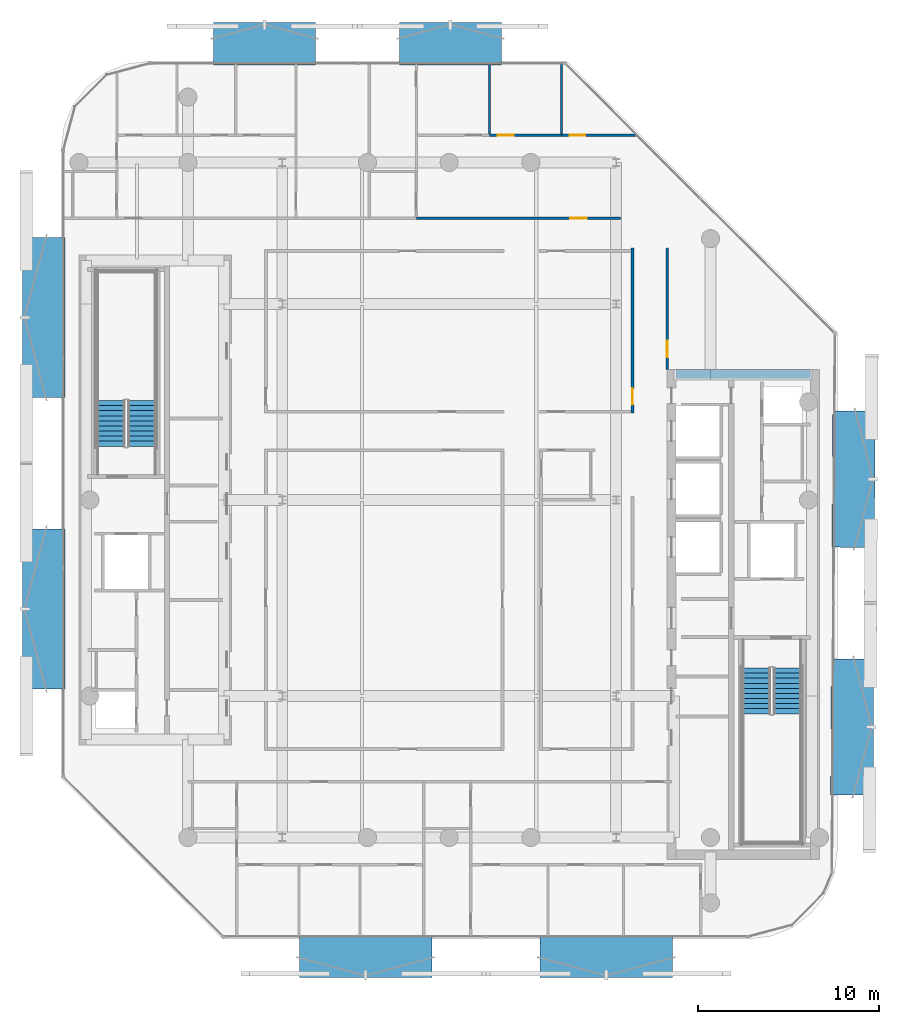
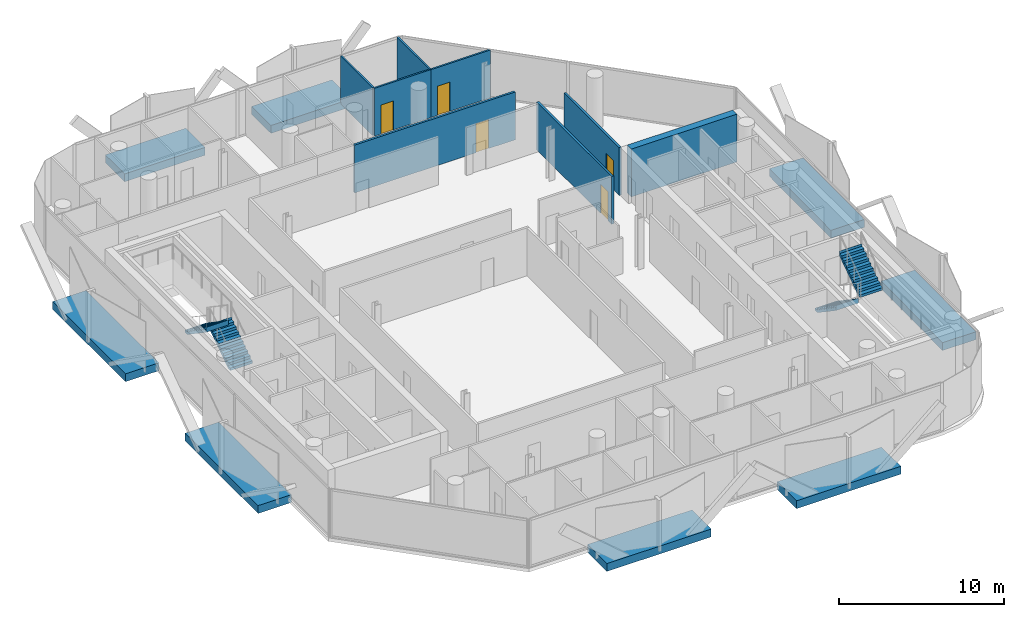
# One storey, part 8 of 17: 8 discrete accessories, 8 walls, 5 doors, 4 stair flights, 5 openings, 2 elements without a shape of their own.
"""IFC4 building model written with IfcOpenShell, lengths in metres."""

import ifcopenshell
import ifcopenshell.guid

model = None  # the IFC model being written
_history = None  # IfcOwnerHistory: only IFC2X3 demands one
_inside = {}  # id of a spatial element -> (the spatial element, [elements in it])
_under = {}  # id of a project, library or spatial element -> (it, [spatial elements below it])
_declared = {}  # id of a project -> (the project, [libraries it declares])
_typed = {}  # id of a type object -> (the type object, [elements of that type])
_made_of = {}  # id of a material, layer set ... -> (it, [elements and type objects made of it])


def new_model(schema):
    """Start an empty IFC model of exactly this schema.

    Asked for "IFC4X3", IfcOpenShell would pick the latest addendum, in which some entities
    have other attributes; the version numbers below select the first issue.
    IFC2X3 requires an IfcOwnerHistory on every rooted entity: one is made here for all.
    """
    global model, _history
    if schema == "IFC4X3":
        model = ifcopenshell.file(schema_version=(4, 3, 0, 0))
    else:
        model = ifcopenshell.file(schema=schema)
    _inside.clear()
    _under.clear()
    _declared.clear()
    _typed.clear()
    _made_of.clear()
    _history = None
    if model.schema == "IFC2X3":
        org = make("IfcOrganization", Name="unknown")
        user = make(
            "IfcPersonAndOrganization",
            ThePerson=make("IfcPerson", FamilyName="unknown"),
            TheOrganization=org,
        )
        app = make(
            "IfcApplication",
            ApplicationDeveloper=org,
            Version="unknown",
            ApplicationFullName="unknown",
            ApplicationIdentifier="unknown",
        )
        _history = make(
            "IfcOwnerHistory",
            OwningUser=user,
            OwningApplication=app,
            ChangeAction="ADDED",
            CreationDate=0,
        )
    return model


def make(cls, **values):
    """One entity of the class cls with the attributes given. An attribute that is None is left unset."""
    return model.create_entity(
        cls, **{name: value for name, value in values.items() if value is not None}
    )


def rooted(cls, **values):
    """An entity with a GlobalId (a new one), such as an element, a storey or a relation."""
    return make(cls, GlobalId=ifcopenshell.guid.new(), OwnerHistory=_history, **values)


def si_unit(unit_type, name, prefix=None):
    """IfcSIUnit, for example si_unit("LENGTHUNIT", "METRE", prefix="MILLI")."""
    return make("IfcSIUnit", UnitType=unit_type, Prefix=prefix, Name=name)


def assignment(units):
    """IfcUnitAssignment: the units of a project."""
    return None if units is None else make("IfcUnitAssignment", Units=units)


def point(xyz):
    """IfcCartesianPoint."""
    return None if xyz is None else make("IfcCartesianPoint", Coordinates=xyz)


def direction(xyz):
    """IfcDirection."""
    return None if xyz is None else make("IfcDirection", DirectionRatios=xyz)


def frame(location, z_axis=None, x_axis=None):
    """IfcAxis2Placement3D, a coordinate frame: its origin and axes. An axis left out is left unset."""
    return make(
        "IfcAxis2Placement3D",
        Location=point(location),
        Axis=direction(z_axis),
        RefDirection=direction(x_axis),
    )


def frame_2d(location, x_axis=None):
    """IfcAxis2Placement2D, a coordinate frame in the plane: its origin and x axis."""
    return make(
        "IfcAxis2Placement2D", Location=point(location), RefDirection=direction(x_axis)
    )


def origin():
    """The frame at (0, 0, 0) with its axes left unset."""
    return frame((0.0, 0.0, 0.0))


def origin_2d():
    """The frame at (0, 0) in the plane with its x axis left unset."""
    return frame_2d((0.0, 0.0))


def place(relative_to, where):
    """IfcLocalPlacement: puts the frame where relative to a parent placement (None: the world)."""
    return make(
        "IfcLocalPlacement", PlacementRelTo=relative_to, RelativePlacement=where
    )


def context(
    kind, dimensions, precision=None, world=None, true_north=None, identifier=None
):
    """IfcGeometricRepresentationContext, for example the 3D "Model" context."""
    return make(
        "IfcGeometricRepresentationContext",
        ContextIdentifier=identifier,
        ContextType=kind,
        CoordinateSpaceDimension=dimensions,
        Precision=precision,
        WorldCoordinateSystem=world,
        TrueNorth=true_north,
    )


def subcontext(parent, identifier, kind, view, scale=None):
    """IfcGeometricRepresentationSubContext, for example "Body" below "Model"."""
    return make(
        "IfcGeometricRepresentationSubContext",
        ContextIdentifier=identifier,
        ContextType=kind,
        ParentContext=parent,
        TargetScale=scale,
        TargetView=view,
    )


def project(units=None, contexts=None):
    """IfcProject with its units and contexts."""
    return rooted(
        "IfcProject",
        Name="project",
        RepresentationContexts=contexts,
        UnitsInContext=assignment(units),
    )


def spatial(cls, under=None, at=None, **own):
    """A site, building, storey or space (cls), placed at a placement, below another one or the project."""
    s = rooted(cls, ObjectPlacement=at, **own)
    if under is not None:
        _under.setdefault(under.id(), (under, []))[1].append(s)
    return s


def polyline(points):
    """IfcPolyline through the points."""
    return make("IfcPolyline", Points=[point(p) for p in points])


def profile(cls, at=None, kind="AREA", **sizes):
    """A parametric profile (cls). Its sizes go by their IFC names, for example OverallWidth=200.0."""
    return make(cls, ProfileType=kind, Position=at, **sizes)


def rectangle(**sizes):
    """IfcRectangleProfileDef."""
    return profile("IfcRectangleProfileDef", **sizes)


def outline(outer, holes=None, kind="AREA"):
    """IfcArbitraryClosedProfileDef: a profile drawn as a closed curve; with holes, ...WithVoids."""
    if holes is None:
        return make("IfcArbitraryClosedProfileDef", ProfileType=kind, OuterCurve=outer)
    return make(
        "IfcArbitraryProfileDefWithVoids",
        ProfileType=kind,
        OuterCurve=outer,
        InnerCurves=holes,
    )


def extrude(swept, where, along, depth):
    """IfcExtrudedAreaSolid: the profile swept, set in the frame where, extruded along a direction by depth."""
    return make(
        "IfcExtrudedAreaSolid",
        SweptArea=swept,
        Position=where,
        ExtrudedDirection=direction(along),
        Depth=depth,
    )


def shape(context_of_items, identifier, shape_type, items):
    """IfcShapeRepresentation: the items that make up one representation, for example the "Body"."""
    return make(
        "IfcShapeRepresentation",
        ContextOfItems=context_of_items,
        RepresentationIdentifier=identifier,
        RepresentationType=shape_type,
        Items=items,
    )


def material(Name=None, Category=None):
    """IfcMaterial."""
    return make("IfcMaterial", Name=Name, Category=Category)


def layer(
    of_material, thickness, ventilated=None, Name=None, Category=None, Priority=None
):
    """IfcMaterialLayer: one layer of a wall or slab, of a material (None: an air gap)."""
    return make(
        "IfcMaterialLayer",
        Material=of_material,
        LayerThickness=thickness,
        IsVentilated=ventilated,
        Name=Name,
        Category=Category,
        Priority=Priority,
    )


def layer_set(layers, Name=None):
    """IfcMaterialLayerSet."""
    return make("IfcMaterialLayerSet", MaterialLayers=layers, LayerSetName=Name)


def made_of(thing, what):
    """Note that an element or type object is made of a material, layer set ...; save() writes the relation."""
    if what is not None:
        _made_of.setdefault(what.id(), (what, []))[1].append(thing)
    return thing


def type_object(cls, material=None, **own):
    """A type object (cls), such as IfcWallType, which elements share."""
    return made_of(rooted(cls, **own), material)


def element(
    cls,
    number,
    at=None,
    inside=None,
    cuts=None,
    type_object=None,
    material=None,
    context=None,
    identifier="Body",
    shape_type=None,
    held_by="IfcProductDefinitionShape",
    body=None,
    shapes=None,
    **own,
):
    """One element of the class cls, such as IfcWall. Its Tag is "e" and its number.

    at: its placement. inside: the storey or other place that contains it. cuts: it is an
    opening in that element (IfcRelVoidsElement). A single representation is given by context,
    identifier, shape_type and body (its items); several are given by shapes. held_by: the class
    of the entity that holds the representations. save() writes the other relations.
    """
    e = rooted(cls, Tag="e%d" % number, ObjectPlacement=at, **own)
    if body is not None:
        shapes = [shape(context, identifier, shape_type, body)]
    if shapes is not None:
        e.Representation = make(held_by, Representations=shapes)
    if inside is not None:
        _inside.setdefault(inside.id(), (inside, []))[1].append(e)
    if cuts is not None:
        rooted(
            "IfcRelVoidsElement", RelatingBuildingElement=cuts, RelatedOpeningElement=e
        )
    if type_object is not None:
        _typed.setdefault(type_object.id(), (type_object, []))[1].append(e)
    return made_of(e, material)


def fill(opening, filler):
    """IfcRelFillsElement: the door or window that sits in an opening."""
    return rooted(
        "IfcRelFillsElement",
        RelatingOpeningElement=opening,
        RelatedBuildingElement=filler,
    )


def aggregate(whole, parts):
    """IfcRelAggregates: a whole, such as a stair, and the parts it consists of."""
    return rooted("IfcRelAggregates", RelatingObject=whole, RelatedObjects=parts)


def save(model, path):
    """Write the relations noted so far, then the file.

    IfcRelAggregates (storeys below a building ...), IfcRelContainedInSpatialStructure (elements
    in a storey), IfcRelDefinesByType, IfcRelAssociatesMaterial and IfcRelDeclares: one each for
    every whole, place, type object, material and project.
    """
    for whole, parts in _under.values():
        aggregate(whole, parts)
    for where, things in _inside.values():
        rooted(
            "IfcRelContainedInSpatialStructure",
            RelatedElements=things,
            RelatingStructure=where,
        )
    for kind, things in _typed.values():
        rooted("IfcRelDefinesByType", RelatedObjects=things, RelatingType=kind)
    for what, things in _made_of.values():
        rooted("IfcRelAssociatesMaterial", RelatedObjects=things, RelatingMaterial=what)
    for by, libraries in _declared.values():
        rooted("IfcRelDeclares", RelatingContext=by, RelatedDefinitions=libraries)
    model.write(path)


model = new_model("IFC4")

# Units and contexts
model_context = context("Model", 3, precision=1e-05, world=origin(), true_north=direction((0.0, 1.0)))
body_context = subcontext(model_context, "Body", "Model", "MODEL_VIEW")
ifc_project = project(units=[si_unit("LENGTHUNIT", "METRE"), si_unit("AREAUNIT", "SQUARE_METRE"), si_unit("VOLUMEUNIT", "CUBIC_METRE"), si_unit("PLANEANGLEUNIT", "RADIAN"), si_unit("MASSUNIT", "GRAM", prefix="KILO")], contexts=[model_context])

# Site, building, storey
site_placement = place(None, origin())
site = spatial("IfcSite", under=ifc_project, at=site_placement, CompositionType="ELEMENT")
building_placement = place(site_placement, origin())
building = spatial("IfcBuilding", under=site, at=building_placement, Name="Khairoan Windgate Tower", CompositionType="ELEMENT")
storey_placement = place(building_placement, frame((0.0, 0.0, 308.0)))
storey = spatial("IfcBuildingStorey", under=building, at=storey_placement, Name="L74", CompositionType="ELEMENT", Elevation=308.0)

# Wall, opening, door
ifc_material_1 = material(Name="Gypsum Stud Partition", Category="gypsum")
ifc_layer_1 = layer(ifc_material_1, 0.1201171875, Name="Gypsum Stud Partition")
ifc_layer_set_1 = layer_set([ifc_layer_1], Name="Gypsum Stud Partition")
wall_type_1 = type_object("IfcWallType", Name="Internal Room Partition Wall", PredefinedType="PARTITIONING", material=ifc_layer_set_1)
wall_1_placement = place(storey_placement, frame((2.22705078125, 20.10009765625, 0.0), z_axis=(0.0, 0.0, 1.0), x_axis=(1.0, 0.0, 0.0)))
wall_1 = element("IfcWall", 1, at=wall_1_placement, inside=storey, type_object=wall_type_1, Name="L74 Interior Partition 058", PredefinedType="PARTITIONING", context=body_context, shape_type="SweptSolid", body=[
    extrude(rectangle(XDim=3.9560546875, YDim=0.1201171875, at=frame_2d((1.97802734375, 0.0))), origin(), (0.0, 0.0, 1.0), 3.5400390625),
])
opening_1_placement = place(wall_1_placement, frame((0.4599609375, 0.0, 0.0)))
opening_1 = element("IfcOpeningElement", 2, at=opening_1_placement, cuts=wall_1, Name="Opening ID-RM", PredefinedType="OPENING", context=body_context, shape_type="SweptSolid", body=[
    extrude(rectangle(XDim=0.860107421875, YDim=2.14990234375, at=frame_2d((0.43017578125, 1.074951171875))), frame((0.0, 0.070068359375, 0.0), z_axis=(0.0, -1.0, 0.0), x_axis=(1.0, 0.0, 0.0)), (0.0, 0.0, 1.0), 0.14013671875),
])
ifc_material_2 = material(Name="Teak Veneer Timber Leaf", Category="wood")
door_type_1 = type_object("IfcDoorType", Name="Internal Bedroom and Office Door ID-RM 860x2150", OperationType="NOTDEFINED", PredefinedType="DOOR", material=ifc_material_2)
door_1_placement = place(opening_1_placement, origin())
door_1 = element("IfcDoor", 3, at=door_1_placement, inside=storey, type_object=door_type_1, Name="L74 L74-44-L74-46 Door", OperationType="SINGLE_SWING_RIGHT", OverallHeight=2.14990234375, OverallWidth=0.860107421875, PredefinedType="DOOR", context=body_context, shape_type="SweptSolid", body=[
    extrude(rectangle(XDim=0.860107421875, YDim=2.14990234375, at=frame_2d((0.43017578125, 1.074951171875))), frame((0.0, 0.02490234375, 0.0), z_axis=(0.0, -1.0, 0.0), x_axis=(1.0, 0.0, 0.0)), (0.0, 0.0, 1.0), 0.050048828125),
])
fill(opening_1, door_1)

wall_2_placement = place(storey_placement, frame((6.18310546875, 20.10009765625, 0.0), z_axis=(0.0, 0.0, 1.0), x_axis=(1.0, 0.0, 0.0)))
wall_2 = element("IfcWall", 4, at=wall_2_placement, inside=storey, type_object=wall_type_1, Name="L74 Interior Partition 059", PredefinedType="PARTITIONING", context=body_context, shape_type="SweptSolid", body=[
    extrude(rectangle(XDim=4.15380859375, YDim=0.1201171875, at=frame_2d((2.076904296875, 0.0))), origin(), (0.0, 0.0, 1.0), 3.5400390625),
])
opening_2_placement = place(wall_2_placement, frame((0.4599609375, 0.0, 0.0)))
opening_2 = element("IfcOpeningElement", 5, at=opening_2_placement, cuts=wall_2, Name="Opening ID-RM", PredefinedType="OPENING", context=body_context, shape_type="SweptSolid", body=[
    extrude(rectangle(XDim=0.860107421875, YDim=2.14990234375, at=frame_2d((0.43017578125, 1.074951171875))), frame((0.0, 0.070068359375, 0.0), z_axis=(0.0, -1.0, 0.0), x_axis=(1.0, 0.0, 0.0)), (0.0, 0.0, 1.0), 0.14013671875),
])
door_2_placement = place(opening_2_placement, origin())
door_2 = element("IfcDoor", 6, at=door_2_placement, inside=storey, type_object=door_type_1, Name="L74 L74-44-L74-47 Door", OperationType="SINGLE_SWING_LEFT", OverallHeight=2.14990234375, OverallWidth=0.860107421875, PredefinedType="DOOR", context=body_context, shape_type="SweptSolid", body=[
    extrude(rectangle(XDim=0.860107421875, YDim=2.14990234375, at=frame_2d((0.43017578125, 1.074951171875))), frame((0.0, 0.02490234375, 0.0), z_axis=(0.0, -1.0, 0.0), x_axis=(1.0, 0.0, 0.0)), (0.0, 0.0, 1.0), 0.050048828125),
])
fill(opening_2, door_2)

# Walls
for number, where, z_axis, x_axis, name in (
    (7, (2.22705078125, 20.159912109375, 0.0), (0.0, 0.0, 1.0), (0.0, 1.0, 0.0), "L74 Interior Partition 060"),
    (8, (6.18310546875, 20.159912109375, 0.0), (0.0, 0.0, 1.0), (0.0, 1.0, 0.0), "L74 Interior Partition 061"),
):
    element("IfcWall", number, at=place(storey_placement, frame(where, z_axis=z_axis, x_axis=x_axis)), inside=storey, type_object=wall_type_1, Name=name, PredefinedType="PARTITIONING", context=body_context, shape_type="SweptSolid", body=[
        extrude(rectangle(XDim=3.89501953125, YDim=0.1201171875, at=frame_2d((1.947509765625, 0.0))), origin(), (0.0, 0.0, 1.0), 3.5400390625),
    ])

# Wall, opening, door
ifc_material_3 = material(Name="Acoustic Fire-Rated Gypsum Partition", Category="gypsum")
ifc_layer_2 = layer(ifc_material_3, 0.14990234375, Name="Acoustic Fire-Rated Gypsum Partition")
ifc_layer_set_2 = layer_set([ifc_layer_2], Name="Acoustic Fire-Rated Gypsum Partition")
wall_type_2 = type_object("IfcWallType", Name="Rated Corridor Partition Wall", PredefinedType="PARTITIONING", material=ifc_layer_set_2)
wall_3_placement = place(storey_placement, frame((12.014892578125, 7.199951171875, 0.0), z_axis=(0.0, 0.0, 1.0), x_axis=(0.0, 1.0, 0.0)))
wall_3 = element("IfcWall", 9, at=wall_3_placement, inside=storey, type_object=wall_type_2, Name="L74 Interior Partition 017", PredefinedType="PARTITIONING", context=body_context, shape_type="SweptSolid", body=[
    extrude(rectangle(XDim=6.679931640625, YDim=0.14990234375, at=frame_2d((3.33984375, 0.0))), origin(), (0.0, 0.0, 1.0), 3.5400390625),
])
opening_3_placement = place(wall_3_placement, frame((0.669921875, 0.0, 0.0)))
opening_3 = element("IfcOpeningElement", 10, at=opening_3_placement, cuts=wall_3, Name="Opening FD-ENT", PredefinedType="OPENING", context=body_context, shape_type="SweptSolid", body=[
    extrude(rectangle(XDim=0.89990234375, YDim=2.14990234375, at=frame_2d((0.449951171875, 1.074951171875))), frame((0.0, 0.0849609375, 0.0), z_axis=(0.0, -1.0, 0.0), x_axis=(1.0, 0.0, 0.0)), (0.0, 0.0, 1.0), 0.169921875),
])
ifc_material_4 = material(Name="Timber Fire-Rated Core", Category="wood")
door_type_2 = type_object("IfcDoorType", Name="Unit and Office Fire Entrance Door FD-ENT 900x2150", OperationType="NOTDEFINED", PredefinedType="DOOR", material=ifc_material_4)
door_3_placement = place(opening_3_placement, origin())
door_3 = element("IfcDoor", 11, at=door_3_placement, inside=storey, type_object=door_type_2, Name="L74 L74-30-L74-61 Door", OperationType="SINGLE_SWING_LEFT", OverallHeight=2.14990234375, OverallWidth=0.89990234375, PredefinedType="DOOR", context=body_context, shape_type="SweptSolid", body=[
    extrude(rectangle(XDim=0.89990234375, YDim=2.14990234375, at=frame_2d((0.449951171875, 1.074951171875))), frame((0.0, 0.02490234375, 0.0), z_axis=(0.0, -1.0, 0.0), x_axis=(1.0, 0.0, 0.0)), (0.0, 0.0, 1.0), 0.050048828125),
])
fill(opening_3, door_3)

wall_4_placement = place(storey_placement, frame((10.10009765625, 4.7900390625, 0.0), z_axis=(0.0, 0.0, 1.0), x_axis=(0.0, 1.0, 0.0)))
wall_4 = element("IfcWall", 12, at=wall_4_placement, inside=storey, type_object=wall_type_2, Name="L74 Interior Partition 018", PredefinedType="PARTITIONING", context=body_context, shape_type="SweptSolid", body=[
    extrude(rectangle(XDim=9.08984375, YDim=0.14990234375, at=frame_2d((4.544921875, 0.0))), origin(), (0.0, 0.0, 1.0), 3.5400390625),
])
opening_4_placement = place(wall_4_placement, frame((0.4599609375, 0.0, 0.0)))
opening_4 = element("IfcOpeningElement", 13, at=opening_4_placement, cuts=wall_4, Name="Opening FD-ENT", PredefinedType="OPENING", context=body_context, shape_type="SweptSolid", body=[
    extrude(rectangle(XDim=0.89990234375, YDim=2.14990234375, at=frame_2d((0.449951171875, 1.074951171875))), frame((0.0, 0.0849609375, 0.0), z_axis=(0.0, -1.0, 0.0), x_axis=(1.0, 0.0, 0.0)), (0.0, 0.0, 1.0), 0.169921875),
])
door_4_placement = place(opening_4_placement, origin())
door_4 = element("IfcDoor", 14, at=door_4_placement, inside=storey, type_object=door_type_2, Name="L74 L74-30-L74-64 Door", OperationType="SINGLE_SWING_RIGHT", OverallHeight=2.14990234375, OverallWidth=0.89990234375, PredefinedType="DOOR", context=body_context, shape_type="SweptSolid", body=[
    extrude(rectangle(XDim=0.89990234375, YDim=2.14990234375, at=frame_2d((0.449951171875, 1.074951171875))), frame((0.0, 0.02490234375, 0.0), z_axis=(0.0, -1.0, 0.0), x_axis=(1.0, 0.0, 0.0)), (0.0, 0.0, 1.0), 0.050048828125),
])
fill(opening_4, door_4)

wall_5_placement = place(storey_placement, frame((-1.81005859375, 15.52490234375, 0.0), z_axis=(0.0, 0.0, 1.0), x_axis=(1.0, 0.0, 0.0)))
wall_5 = element("IfcWall", 15, at=wall_5_placement, inside=storey, type_object=wall_type_2, Name="L74 Interior Partition 031", PredefinedType="PARTITIONING", context=body_context, shape_type="SweptSolid", body=[
    extrude(rectangle(XDim=11.25, YDim=0.14990234375, at=frame_2d((5.625, 0.0))), origin(), (0.0, 0.0, 1.0), 3.5400390625),
])
opening_5_placement = place(wall_5_placement, frame((8.485595703125, 0.0, 0.0)))
opening_5 = element("IfcOpeningElement", 16, at=opening_5_placement, cuts=wall_5, Name="Opening FD-ENT", PredefinedType="OPENING", context=body_context, shape_type="SweptSolid", body=[
    extrude(rectangle(XDim=0.89990234375, YDim=2.14990234375, at=frame_2d((0.449951171875, 1.074951171875))), frame((0.0, 0.0849609375, 0.0), z_axis=(0.0, -1.0, 0.0), x_axis=(1.0, 0.0, 0.0)), (0.0, 0.0, 1.0), 0.169921875),
])
door_5_placement = place(opening_5_placement, origin())
door_5 = element("IfcDoor", 17, at=door_5_placement, inside=storey, type_object=door_type_2, Name="L74 L74-33-L74-44 Door", OperationType="SINGLE_SWING_RIGHT", OverallHeight=2.14990234375, OverallWidth=0.89990234375, PredefinedType="DOOR", context=body_context, shape_type="SweptSolid", body=[
    extrude(rectangle(XDim=0.89990234375, YDim=2.14990234375, at=frame_2d((0.449951171875, 1.074951171875))), frame((0.0, 0.02490234375, 0.0), z_axis=(0.0, -1.0, 0.0), x_axis=(1.0, 0.0, 0.0)), (0.0, 0.0, 1.0), 0.050048828125),
])
fill(opening_5, door_5)

# Wall
ifc_material_5 = material(Name="Concrete C50/60", Category="concrete")
ifc_layer_3 = layer(ifc_material_5, 0.5, Name="Concrete C50/60")
ifc_layer_set_3 = layer_set([ifc_layer_3], Name="Concrete C50/60")
wall_type_3 = type_object("IfcWallType", Name="Shear Wall CW-E3 500mm", PredefinedType="SHEAR", material=ifc_layer_set_3)
wall_6_placement = place(storey_placement, frame((12.5, 6.949951171875, 0.0), z_axis=(0.0, 0.0, 1.0), x_axis=(1.0, 0.0, 0.0)))
element("IfcWall", 18, at=wall_6_placement, inside=storey, type_object=wall_type_3, Name="E Core North Shear Wall L74", PredefinedType="SHEAR", context=body_context, shape_type="SweptSolid", body=[
    extrude(rectangle(XDim=7.39990234375, YDim=0.5, at=frame_2d((3.699951171875, 0.0))), origin(), (0.0, 0.0, 1.0), 3.5400390625),
])

# Stair, stair flights
ifc_material_6 = material(Name="Concrete C40/50", Category="concrete")
stair_type = type_object("IfcStairType", Name="Tower Core Dog-Leg Stair ST-T1 1560mm", PredefinedType="HALF_TURN_STAIR", material=ifc_material_6)
stair_1_placement = place(storey_placement, origin())
stair_1 = element("IfcStair", 19, at=stair_1_placement, inside=storey, type_object=stair_type, Name="L74 Stair ST1", PredefinedType="HALF_TURN_STAIR")
ifc_material_7 = material(Name="Concrete C40/50", Category="concrete")
ifc_layer_4 = layer(ifc_material_7, 0.14990234375, Name="Concrete C40/50")
ifc_layer_set_4 = layer_set([ifc_layer_4], Name="Concrete C40/50")
stair_flight_type = type_object("IfcStairFlightType", Name="Tower Core Stair Flight STF-1560", PredefinedType="STRAIGHT", material=ifc_layer_set_4)
stair_flight_1_placement = place(storey_placement, frame((16.929931640625, -9.260009765625, 0.0), z_axis=(0.0, 0.0, 1.0), x_axis=(0.0, -1.0, 0.0)))
stair_flight_1 = element("IfcStairFlight", 20, at=stair_flight_1_placement, type_object=stair_flight_type, Name="ST1 flight 1", NumberOfRisers=10, NumberOfTreads=9, PredefinedType="STRAIGHT", RiserHeight=0.19, TreadLength=0.28, context=body_context, shape_type="SweptSolid", body=[
    extrude(outline(polyline([(-0.00390625, 0.0), (-0.00390625, 0.18994140625), (0.0, 0.18994140625), (0.280029296875, 0.18994140625), (0.280029296875, 0.3798828125), (0.56005859375, 0.3798828125), (0.56005859375, 0.570068359375), (0.840087890625, 0.570068359375), (0.840087890625, 0.760009765625), (1.1201171875, 0.760009765625), (1.1201171875, 0.949951171875), (1.39990234375, 0.949951171875), (1.39990234375, 1.139892578125), (1.679931640625, 1.139892578125), (1.679931640625, 1.330078125), (1.9599609375, 1.330078125), (1.9599609375, 1.52001953125), (2.239990234375, 1.52001953125), (2.239990234375, 1.7099609375), (2.52001953125, 1.7099609375), (2.52001953125, 1.89990234375), (2.52392578125, 1.89990234375), (2.52392578125, 1.52880859375), (0.266845703125, 0.0), (-0.00390625, 0.0)])), frame((0.0, 0.780029296875, 0.0), z_axis=(0.0, -1.0, 0.0), x_axis=(1.0, 0.0, 0.0)), (0.0, 0.0, 1.0), 1.56005859375),
])
stair_flight_2_placement = place(storey_placement, frame((18.639892578125, -11.780029296875, 1.89990234375), z_axis=(0.0, 0.0, 1.0), x_axis=(0.0, 1.0, 0.0)))
stair_flight_2 = element("IfcStairFlight", 21, at=stair_flight_2_placement, type_object=stair_flight_type, Name="ST1 flight 2", NumberOfRisers=10, NumberOfTreads=9, PredefinedType="STRAIGHT", RiserHeight=0.19, TreadLength=0.28, context=body_context, shape_type="SweptSolid", body=[
    extrude(outline(polyline([(-0.00390625, 0.0), (-0.00390625, 0.18994140625), (0.0, 0.18994140625), (0.280029296875, 0.18994140625), (0.280029296875, 0.3798828125), (0.56005859375, 0.3798828125), (0.56005859375, 0.570068359375), (0.840087890625, 0.570068359375), (0.840087890625, 0.760009765625), (1.1201171875, 0.760009765625), (1.1201171875, 0.949951171875), (1.39990234375, 0.949951171875), (1.39990234375, 1.139892578125), (1.679931640625, 1.139892578125), (1.679931640625, 1.330078125), (1.9599609375, 1.330078125), (1.9599609375, 1.52001953125), (2.239990234375, 1.52001953125), (2.239990234375, 1.7099609375), (2.52001953125, 1.7099609375), (2.52001953125, 1.89990234375), (2.52392578125, 1.89990234375), (2.52392578125, 1.52880859375), (0.266845703125, 0.0), (-0.00390625, 0.0)])), frame((0.0, 0.780029296875, 0.0), z_axis=(0.0, -1.0, 0.0), x_axis=(1.0, 0.0, 0.0)), (0.0, 0.0, 1.0), 1.56005859375),
])
aggregate(stair_1, [stair_flight_1, stair_flight_2])

stair_2_placement = place(storey_placement, origin())
stair_2 = element("IfcStair", 22, at=stair_2_placement, inside=storey, type_object=stair_type, Name="L74 Stair ST2", PredefinedType="HALF_TURN_STAIR")
stair_flight_3_placement = place(storey_placement, frame((-16.929931640625, 2.9599609375, 0.0), z_axis=(0.0, 0.0, 1.0), x_axis=(0.0, 1.0, 0.0)))
stair_flight_3 = element("IfcStairFlight", 23, at=stair_flight_3_placement, type_object=stair_flight_type, Name="ST2 flight 1", NumberOfRisers=10, NumberOfTreads=9, PredefinedType="STRAIGHT", RiserHeight=0.19, TreadLength=0.28, context=body_context, shape_type="SweptSolid", body=[
    extrude(outline(polyline([(-0.00390625, 0.0), (-0.00390625, 0.18994140625), (0.0, 0.18994140625), (0.280029296875, 0.18994140625), (0.280029296875, 0.3798828125), (0.56005859375, 0.3798828125), (0.56005859375, 0.570068359375), (0.840087890625, 0.570068359375), (0.840087890625, 0.760009765625), (1.1201171875, 0.760009765625), (1.1201171875, 0.949951171875), (1.39990234375, 0.949951171875), (1.39990234375, 1.139892578125), (1.679931640625, 1.139892578125), (1.679931640625, 1.330078125), (1.9599609375, 1.330078125), (1.9599609375, 1.52001953125), (2.239990234375, 1.52001953125), (2.239990234375, 1.7099609375), (2.52001953125, 1.7099609375), (2.52001953125, 1.89990234375), (2.52392578125, 1.89990234375), (2.52392578125, 1.52880859375), (0.266845703125, 0.0), (-0.00390625, 0.0)])), frame((0.0, 0.780029296875, 0.0), z_axis=(0.0, -1.0, 0.0), x_axis=(1.0, 0.0, 0.0)), (0.0, 0.0, 1.0), 1.56005859375),
])
stair_flight_4_placement = place(storey_placement, frame((-18.639892578125, 5.47998046875, 1.89990234375), z_axis=(0.0, 0.0, 1.0), x_axis=(0.0, -1.0, 0.0)))
stair_flight_4 = element("IfcStairFlight", 24, at=stair_flight_4_placement, type_object=stair_flight_type, Name="ST2 flight 2", NumberOfRisers=10, NumberOfTreads=9, PredefinedType="STRAIGHT", RiserHeight=0.19, TreadLength=0.28, context=body_context, shape_type="SweptSolid", body=[
    extrude(outline(polyline([(-0.00390625, 0.0), (-0.00390625, 0.18994140625), (0.0, 0.18994140625), (0.280029296875, 0.18994140625), (0.280029296875, 0.3798828125), (0.56005859375, 0.3798828125), (0.56005859375, 0.570068359375), (0.840087890625, 0.570068359375), (0.840087890625, 0.760009765625), (1.1201171875, 0.760009765625), (1.1201171875, 0.949951171875), (1.39990234375, 0.949951171875), (1.39990234375, 1.139892578125), (1.679931640625, 1.139892578125), (1.679931640625, 1.330078125), (1.9599609375, 1.330078125), (1.9599609375, 1.52001953125), (2.239990234375, 1.52001953125), (2.239990234375, 1.7099609375), (2.52001953125, 1.7099609375), (2.52001953125, 1.89990234375), (2.52392578125, 1.89990234375), (2.52392578125, 1.52880859375), (0.266845703125, 0.0), (-0.00390625, 0.0)])), frame((0.0, 0.780029296875, 0.0), z_axis=(0.0, -1.0, 0.0), x_axis=(1.0, 0.0, 0.0)), (0.0, 0.0, 1.0), 1.56005859375),
])
aggregate(stair_2, [stair_flight_3, stair_flight_4])

# Discrete accessories
ifc_material_8 = material(Name="Steel S355", Category="steel")
discrete_accessory_type = type_object("IfcDiscreteAccessoryType", Name="Solar Screen Outrigger Slab Bracket SSB-1", PredefinedType="BRACKET", material=ifc_material_8)
for number, where, z_axis, x_axis, name in (
    (25, (8.65771484375, -25.1298828125, -0.419921875), (0.0, 0.0, 1.0), (-1.0, 0.0, 0.0), "L74 Solar Screen Outrigger Bracket 518"),
    (26, (-4.60888671875, -25.1298828125, -0.419921875), (0.0, 0.0, 1.0), (-1.0, 0.0, 0.0), "L74 Solar Screen Outrigger Bracket 519"),
):
    element("IfcDiscreteAccessory", number, at=place(storey_placement, frame(where, z_axis=z_axis, x_axis=x_axis)), inside=storey, type_object=discrete_accessory_type, Name=name, PredefinedType="BRACKET", context=body_context, shape_type="SweptSolid", body=[
        extrude(rectangle(XDim=7.297119140625, YDim=2.340087890625, at=origin_2d()), origin(), (0.0, 0.0, 1.0), 0.580078125),
    ])
for number, where, z_axis, x_axis, name in (
    (27, (-22.330078125, -6.0087890625, -0.419921875), (0.0, 0.0, 1.0), (0.0, 1.0, 0.0), "L74 Solar Screen Outrigger Bracket 520"),
    (28, (-22.330078125, 10.0576171875, -0.419921875), (0.0, 0.0, 1.0), (0.0, 1.0, 0.0), "L74 Solar Screen Outrigger Bracket 521"),
):
    element("IfcDiscreteAccessory", number, at=place(storey_placement, frame(where, z_axis=z_axis, x_axis=x_axis)), inside=storey, type_object=discrete_accessory_type, Name=name, PredefinedType="BRACKET", context=body_context, shape_type="SweptSolid", body=[
        extrude(rectangle(XDim=8.8369140625, YDim=2.340087890625, at=origin_2d()), origin(), (0.0, 0.0, 1.0), 0.580078125),
    ])
for number, where, z_axis, x_axis, name in (
    (29, (-10.172607421875, 25.1298828125, -0.419921875), (0.0, 0.0, 1.0), (1.0, 0.0, 0.0), "L74 Solar Screen Outrigger Bracket 522"),
    (30, (0.063720703125, 25.1298828125, -0.419921875), (0.0, 0.0, 1.0), (1.0, 0.0, 0.0), "L74 Solar Screen Outrigger Bracket 523"),
):
    element("IfcDiscreteAccessory", number, at=place(storey_placement, frame(where, z_axis=z_axis, x_axis=x_axis)), inside=storey, type_object=discrete_accessory_type, Name=name, PredefinedType="BRACKET", context=body_context, shape_type="SweptSolid", body=[
        extrude(rectangle(XDim=5.6298828125, YDim=2.340087890625, at=origin_2d()), origin(), (0.0, 0.0, 1.0), 0.580078125),
    ])
for number, where, z_axis, x_axis, name in (
    (31, (22.285888671875, 1.147705078125, -0.419921875), (0.0, 0.0, 1.0), (-0.005585024571, -0.999984403629, 0.0), "L74 Solar Screen Outrigger Bracket 524"),
    (32, (22.210693359375, -12.50927734375, -0.419921875), (0.0, 0.0, 1.0), (-0.005585024571, -0.999984403629, 0.0), "L74 Solar Screen Outrigger Bracket 525"),
):
    element("IfcDiscreteAccessory", number, at=place(storey_placement, frame(where, z_axis=z_axis, x_axis=x_axis)), inside=storey, type_object=discrete_accessory_type, Name=name, PredefinedType="BRACKET", context=body_context, shape_type="SweptSolid", body=[
        extrude(rectangle(XDim=7.510986328125, YDim=2.340087890625, at=origin_2d()), origin(), (0.0, 0.0, 1.0), 0.580078125),
    ])

save(model, "model.ifc")
